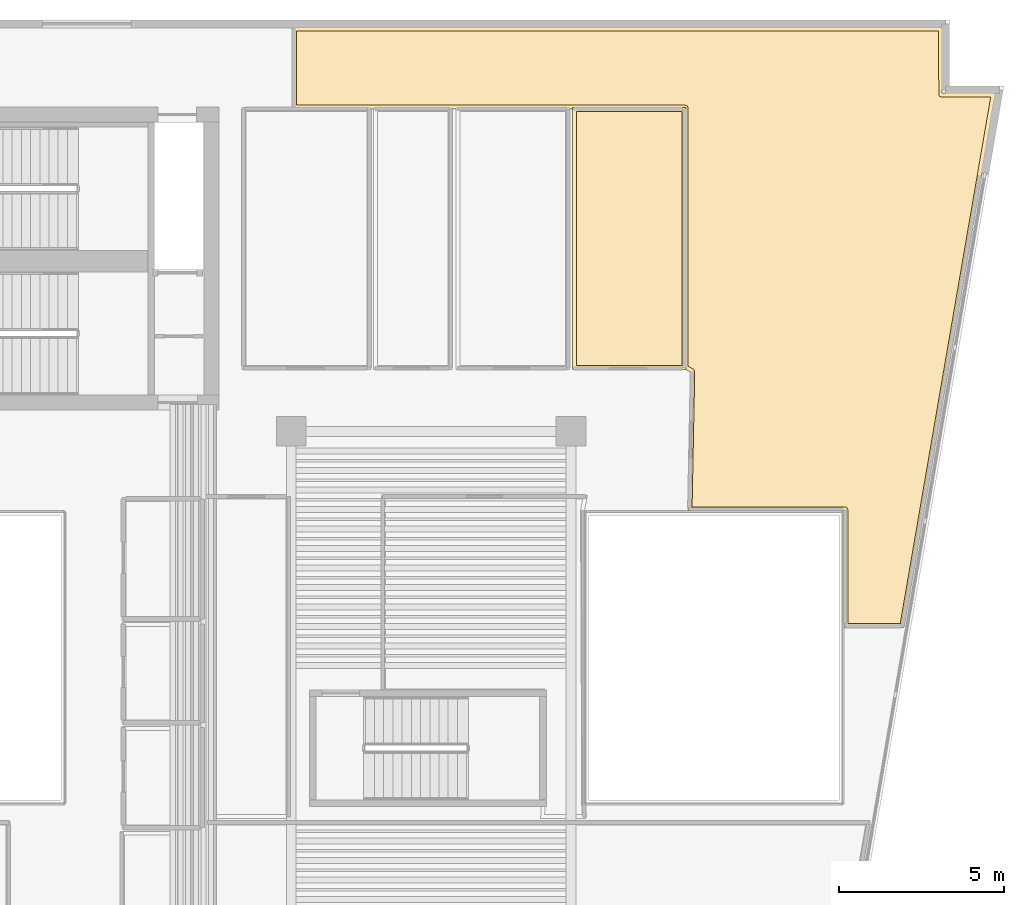
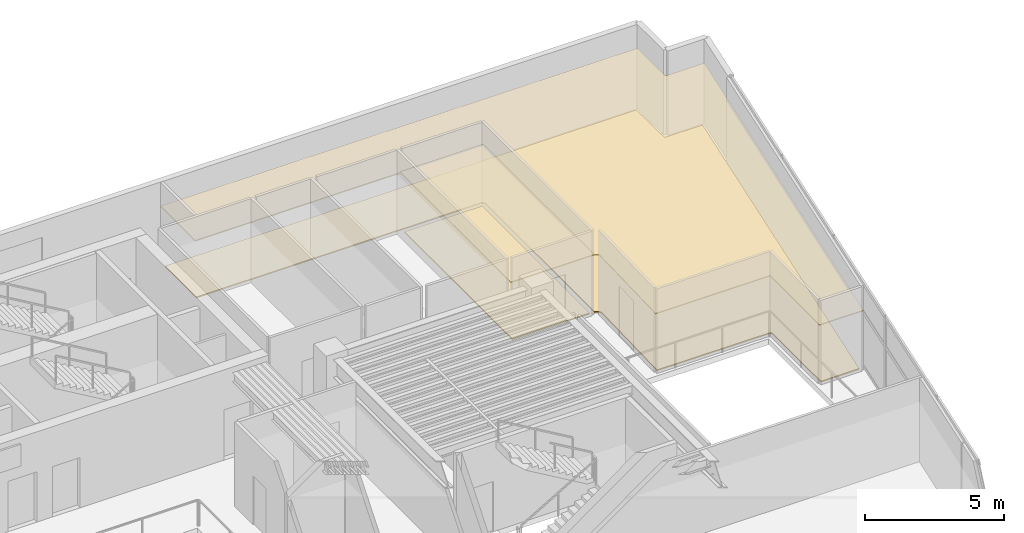
# One storey, part 9 of 9: 4 coverings.
"""IFC4 building model written with IfcOpenShell, lengths in metres."""

from ifc_helpers import new_model, si_unit, direction, frame, origin, place, context, subcontext, project, spatial, polyline, outline, extrude, material, layer, layer_set, type_object, element, save


model = new_model("IFC4")

# Units and contexts
model_context = context("Model", 3, precision=1e-05, world=origin(), true_north=direction((0.0, 1.0)))
body_context = subcontext(model_context, "Body", "Model", "MODEL_VIEW")
ifc_project = project(units=[si_unit("LENGTHUNIT", "METRE"), si_unit("AREAUNIT", "SQUARE_METRE"), si_unit("VOLUMEUNIT", "CUBIC_METRE"), si_unit("PLANEANGLEUNIT", "RADIAN"), si_unit("MASSUNIT", "GRAM", prefix="KILO")], contexts=[model_context])

# Site, building, storey
site_placement = place(None, origin())
site = spatial("IfcSite", under=ifc_project, at=site_placement, CompositionType="ELEMENT")
building_placement = place(site_placement, origin())
building = spatial("IfcBuilding", under=site, at=building_placement, Name="Caeloran Harvest Quay", CompositionType="ELEMENT")
storey_placement = place(building_placement, frame((0.0, 0.0, 231.14990234375)))
storey = spatial("IfcBuildingStorey", under=building, at=storey_placement, Name="L55", CompositionType="ELEMENT", Elevation=231.14990234375)

# Coverings
ifc_material_1 = material(Name="Perforated Mineral-Fibre Acoustic Ceiling Tile", Category="ceiling")
ifc_layer_1 = layer(ifc_material_1, 0.0400390625, Name="Perforated Mineral-Fibre Acoustic Ceiling Tile")
ifc_layer_set_1 = layer_set([ifc_layer_1], Name="Perforated Mineral-Fibre Acoustic Ceiling Tile")
covering_type_1 = type_object("IfcCoveringType", Name="COV-CEILING-ACOUSTIC", PredefinedType="CEILING", material=ifc_layer_set_1)
covering_1_placement = place(storey_placement, frame((0.0, 0.0, 2.60009765625)))
element("IfcCovering", 1, at=covering_1_placement, inside=storey, type_object=covering_type_1, Name="L55 Executive Strategy East Office Acoustic Ceiling", PredefinedType="CEILING", context=body_context, shape_type="SweptSolid", body=[
    extrude(outline(polyline([(37.489990234375, 40.840087890625), (37.489990234375, 32.8798828125), (34.0400390625, 32.8798828125), (34.0400390625, 40.840087890625), (37.489990234375, 40.840087890625)])), origin(), (0.0, 0.0, 1.0), 0.0400390625),
])
covering_2_placement = place(storey_placement, frame((0.0, 0.0, 2.60009765625)))
element("IfcCovering", 2, at=covering_2_placement, inside=storey, type_object=covering_type_1, Name="Digital Exhibit Archive Store Acoustic Ceiling", PredefinedType="CEILING", context=body_context, shape_type="SweptSolid", body=[
    extrude(outline(polyline([(25.5400390625, 43.280029296875), (45.280029296875, 43.280029296875), (45.280029296875, 41.280029296875), (46.895263671875, 41.280029296875), (44.10400390625, 25.0400390625), (42.2900390625, 25.0400390625), (42.2900390625, 28.590087890625), (37.556884765625, 28.590087890625), (37.639404296875, 32.797119140625), (37.43994140625, 32.91015625), (37.43994140625, 40.7900390625), (25.5400390625, 40.7900390625), (25.5400390625, 43.280029296875)])), origin(), (0.0, 0.0, 1.0), 0.0400390625),
])
ifc_material_2 = material(Name="Calcium-Sulphate Raised Access Floor and Terrazzo Finish", Category="flooring")
ifc_layer_2 = layer(ifc_material_2, 0.050048828125, Name="Calcium-Sulphate Raised Access Floor and Terrazzo Finish")
ifc_layer_set_2 = layer_set([ifc_layer_2], Name="Calcium-Sulphate Raised Access Floor and Terrazzo Finish")
covering_type_2 = type_object("IfcCoveringType", Name="COV-FLOOR-RAISED", PredefinedType="FLOORING", material=ifc_layer_set_2)
covering_3_placement = place(storey_placement, origin())
element("IfcCovering", 3, at=covering_3_placement, inside=storey, type_object=covering_type_2, Name="L55 Executive Strategy East Office Raised Finish Flooring", PredefinedType="FLOORING", context=body_context, shape_type="SweptSolid", body=[
    extrude(outline(polyline([(37.3701171875, 40.719970703125), (37.3701171875, 33.0), (34.159912109375, 33.0), (34.159912109375, 40.719970703125), (37.3701171875, 40.719970703125)])), origin(), (0.0, 0.0, 1.0), 0.050048828125),
])
covering_4_placement = place(storey_placement, origin())
element("IfcCovering", 4, at=covering_4_placement, inside=storey, type_object=covering_type_2, Name="Digital Exhibit Archive Store Raised Finish Flooring", PredefinedType="FLOORING", context=body_context, shape_type="SweptSolid", body=[
    extrude(outline(polyline([(25.659912109375, 43.159912109375), (45.159912109375, 43.159912109375), (45.17822265625, 41.189208984375), (45.239990234375, 41.159912109375), (46.752685546875, 41.159912109375), (44.002685546875, 25.159912109375), (42.409912109375, 25.159912109375), (42.409912109375, 28.6298828125), (42.36767578125, 28.70068359375), (37.679443359375, 28.7099609375), (37.760009765625, 32.818359375), (37.732177734375, 32.880615234375), (37.56005859375, 32.97998046875), (37.56005859375, 40.830078125), (37.53662109375, 40.88671875), (37.47998046875, 40.909912109375), (25.659912109375, 40.909912109375), (25.659912109375, 43.159912109375)])), origin(), (0.0, 0.0, 1.0), 0.050048828125),
])

save(model, "model.ifc")
